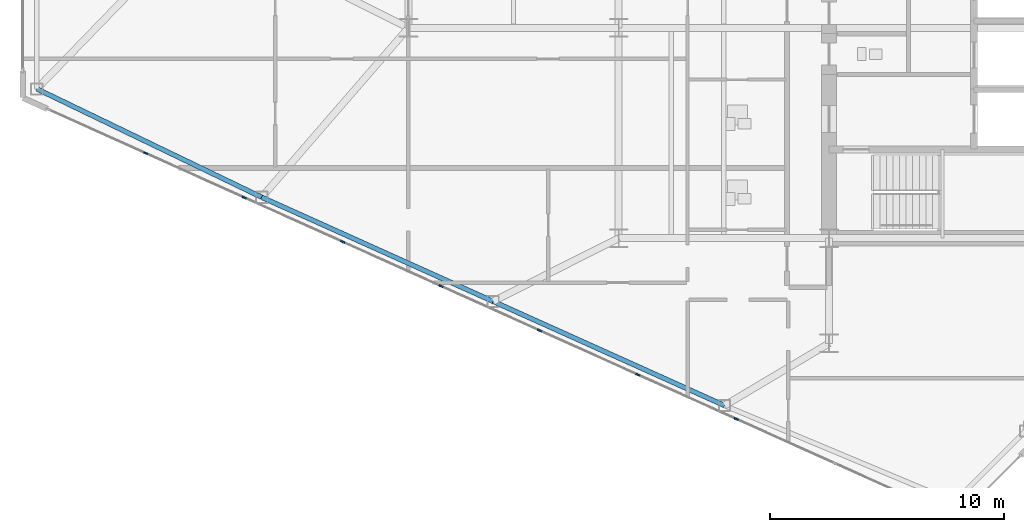
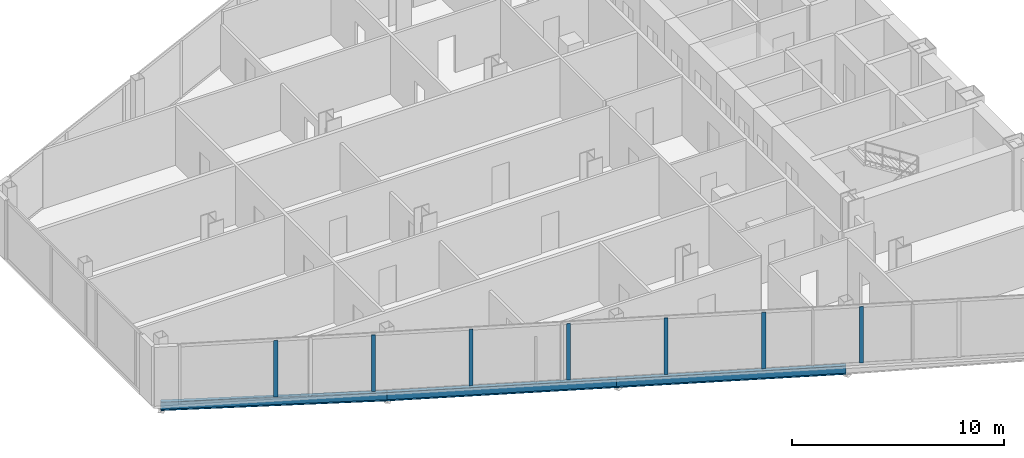
# One storey, part 3 of 27: 7 members, 3 beams, 1 element without a shape of its own.
"""IFC4 building model written with IfcOpenShell, lengths in metres."""

import ifcopenshell
import ifcopenshell.guid

model = None  # the IFC model being written
_history = None  # IfcOwnerHistory: only IFC2X3 demands one
_inside = {}  # id of a spatial element -> (the spatial element, [elements in it])
_under = {}  # id of a project, library or spatial element -> (it, [spatial elements below it])
_declared = {}  # id of a project -> (the project, [libraries it declares])
_typed = {}  # id of a type object -> (the type object, [elements of that type])
_made_of = {}  # id of a material, layer set ... -> (it, [elements and type objects made of it])


def new_model(schema):
    """Start an empty IFC model of exactly this schema.

    Asked for "IFC4X3", IfcOpenShell would pick the latest addendum, in which some entities
    have other attributes; the version numbers below select the first issue.
    IFC2X3 requires an IfcOwnerHistory on every rooted entity: one is made here for all.
    """
    global model, _history
    if schema == "IFC4X3":
        model = ifcopenshell.file(schema_version=(4, 3, 0, 0))
    else:
        model = ifcopenshell.file(schema=schema)
    _inside.clear()
    _under.clear()
    _declared.clear()
    _typed.clear()
    _made_of.clear()
    _history = None
    if model.schema == "IFC2X3":
        org = make("IfcOrganization", Name="unknown")
        user = make(
            "IfcPersonAndOrganization",
            ThePerson=make("IfcPerson", FamilyName="unknown"),
            TheOrganization=org,
        )
        app = make(
            "IfcApplication",
            ApplicationDeveloper=org,
            Version="unknown",
            ApplicationFullName="unknown",
            ApplicationIdentifier="unknown",
        )
        _history = make(
            "IfcOwnerHistory",
            OwningUser=user,
            OwningApplication=app,
            ChangeAction="ADDED",
            CreationDate=0,
        )
    return model


def make(cls, **values):
    """One entity of the class cls with the attributes given. An attribute that is None is left unset."""
    return model.create_entity(
        cls, **{name: value for name, value in values.items() if value is not None}
    )


def rooted(cls, **values):
    """An entity with a GlobalId (a new one), such as an element, a storey or a relation."""
    return make(cls, GlobalId=ifcopenshell.guid.new(), OwnerHistory=_history, **values)


def si_unit(unit_type, name, prefix=None):
    """IfcSIUnit, for example si_unit("LENGTHUNIT", "METRE", prefix="MILLI")."""
    return make("IfcSIUnit", UnitType=unit_type, Prefix=prefix, Name=name)


def assignment(units):
    """IfcUnitAssignment: the units of a project."""
    return None if units is None else make("IfcUnitAssignment", Units=units)


def point(xyz):
    """IfcCartesianPoint."""
    return None if xyz is None else make("IfcCartesianPoint", Coordinates=xyz)


def direction(xyz):
    """IfcDirection."""
    return None if xyz is None else make("IfcDirection", DirectionRatios=xyz)


def frame(location, z_axis=None, x_axis=None):
    """IfcAxis2Placement3D, a coordinate frame: its origin and axes. An axis left out is left unset."""
    return make(
        "IfcAxis2Placement3D",
        Location=point(location),
        Axis=direction(z_axis),
        RefDirection=direction(x_axis),
    )


def frame_2d(location, x_axis=None):
    """IfcAxis2Placement2D, a coordinate frame in the plane: its origin and x axis."""
    return make(
        "IfcAxis2Placement2D", Location=point(location), RefDirection=direction(x_axis)
    )


def origin():
    """The frame at (0, 0, 0) with its axes left unset."""
    return frame((0.0, 0.0, 0.0))


def origin_2d():
    """The frame at (0, 0) in the plane with its x axis left unset."""
    return frame_2d((0.0, 0.0))


def place(relative_to, where):
    """IfcLocalPlacement: puts the frame where relative to a parent placement (None: the world)."""
    return make(
        "IfcLocalPlacement", PlacementRelTo=relative_to, RelativePlacement=where
    )


def context(
    kind, dimensions, precision=None, world=None, true_north=None, identifier=None
):
    """IfcGeometricRepresentationContext, for example the 3D "Model" context."""
    return make(
        "IfcGeometricRepresentationContext",
        ContextIdentifier=identifier,
        ContextType=kind,
        CoordinateSpaceDimension=dimensions,
        Precision=precision,
        WorldCoordinateSystem=world,
        TrueNorth=true_north,
    )


def subcontext(parent, identifier, kind, view, scale=None):
    """IfcGeometricRepresentationSubContext, for example "Body" below "Model"."""
    return make(
        "IfcGeometricRepresentationSubContext",
        ContextIdentifier=identifier,
        ContextType=kind,
        ParentContext=parent,
        TargetScale=scale,
        TargetView=view,
    )


def project(units=None, contexts=None):
    """IfcProject with its units and contexts."""
    return rooted(
        "IfcProject",
        Name="project",
        RepresentationContexts=contexts,
        UnitsInContext=assignment(units),
    )


def spatial(cls, under=None, at=None, **own):
    """A site, building, storey or space (cls), placed at a placement, below another one or the project."""
    s = rooted(cls, ObjectPlacement=at, **own)
    if under is not None:
        _under.setdefault(under.id(), (under, []))[1].append(s)
    return s


def profile(cls, at=None, kind="AREA", **sizes):
    """A parametric profile (cls). Its sizes go by their IFC names, for example OverallWidth=200.0."""
    return make(cls, ProfileType=kind, Position=at, **sizes)


def rectangle(**sizes):
    """IfcRectangleProfileDef."""
    return profile("IfcRectangleProfileDef", **sizes)


def i_section(**sizes):
    """IfcIShapeProfileDef."""
    return profile("IfcIShapeProfileDef", **sizes)


def extrude(swept, where, along, depth):
    """IfcExtrudedAreaSolid: the profile swept, set in the frame where, extruded along a direction by depth."""
    return make(
        "IfcExtrudedAreaSolid",
        SweptArea=swept,
        Position=where,
        ExtrudedDirection=direction(along),
        Depth=depth,
    )


def shape(context_of_items, identifier, shape_type, items):
    """IfcShapeRepresentation: the items that make up one representation, for example the "Body"."""
    return make(
        "IfcShapeRepresentation",
        ContextOfItems=context_of_items,
        RepresentationIdentifier=identifier,
        RepresentationType=shape_type,
        Items=items,
    )


def source(mapping_origin, context_of_items, identifier, shape_type, items):
    """IfcRepresentationMap: a shape defined once, which mapped items show again and again."""
    return make(
        "IfcRepresentationMap",
        MappingOrigin=mapping_origin,
        MappedRepresentation=shape(context_of_items, identifier, shape_type, items),
    )


def transform(
    local_origin,
    x_axis=None,
    y_axis=None,
    z_axis=None,
    scale=None,
    scale2=None,
    scale3=None,
    uniform=True,
):
    """IfcCartesianTransformationOperator3D, or its non-uniform kind. x_axis, y_axis, z_axis: its Axis1, 2, 3."""
    if uniform:
        return make(
            "IfcCartesianTransformationOperator3D",
            Axis1=direction(x_axis),
            Axis2=direction(y_axis),
            LocalOrigin=point(local_origin),
            Scale=scale,
            Axis3=direction(z_axis),
        )
    return make(
        "IfcCartesianTransformationOperator3DnonUniform",
        Axis1=direction(x_axis),
        Axis2=direction(y_axis),
        LocalOrigin=point(local_origin),
        Scale=scale,
        Axis3=direction(z_axis),
        Scale2=scale2,
        Scale3=scale3,
    )


def mapped(mapping_source, mapping_target):
    """IfcMappedItem: shows the shape of a source again, moved by a transform."""
    return make(
        "IfcMappedItem", MappingSource=mapping_source, MappingTarget=mapping_target
    )


def material(Name=None, Category=None):
    """IfcMaterial."""
    return make("IfcMaterial", Name=Name, Category=Category)


def layer(
    of_material, thickness, ventilated=None, Name=None, Category=None, Priority=None
):
    """IfcMaterialLayer: one layer of a wall or slab, of a material (None: an air gap)."""
    return make(
        "IfcMaterialLayer",
        Material=of_material,
        LayerThickness=thickness,
        IsVentilated=ventilated,
        Name=Name,
        Category=Category,
        Priority=Priority,
    )


def layer_set(layers, Name=None):
    """IfcMaterialLayerSet."""
    return make("IfcMaterialLayerSet", MaterialLayers=layers, LayerSetName=Name)


def material_profile(
    of_material, cross_section, Name=None, Category=None, Priority=None
):
    """IfcMaterialProfile: a cross section and its material."""
    return make(
        "IfcMaterialProfile",
        Name=Name,
        Material=of_material,
        Profile=cross_section,
        Priority=Priority,
        Category=Category,
    )


def profile_set(profiles, Name=None, composite=None):
    """IfcMaterialProfileSet."""
    return make(
        "IfcMaterialProfileSet",
        Name=Name,
        MaterialProfiles=profiles,
        CompositeProfile=composite,
    )


def made_of(thing, what):
    """Note that an element or type object is made of a material, layer set ...; save() writes the relation."""
    if what is not None:
        _made_of.setdefault(what.id(), (what, []))[1].append(thing)
    return thing


def type_object(cls, material=None, **own):
    """A type object (cls), such as IfcWallType, which elements share."""
    return made_of(rooted(cls, **own), material)


def type_shapes(of_type, sources):
    """Give a type object the sources (RepresentationMaps) that its elements show as mapped items."""
    of_type.RepresentationMaps = sources


def element(
    cls,
    number,
    at=None,
    inside=None,
    cuts=None,
    type_object=None,
    material=None,
    context=None,
    identifier="Body",
    shape_type=None,
    held_by="IfcProductDefinitionShape",
    body=None,
    shapes=None,
    **own,
):
    """One element of the class cls, such as IfcWall. Its Tag is "e" and its number.

    at: its placement. inside: the storey or other place that contains it. cuts: it is an
    opening in that element (IfcRelVoidsElement). A single representation is given by context,
    identifier, shape_type and body (its items); several are given by shapes. held_by: the class
    of the entity that holds the representations. save() writes the other relations.
    """
    e = rooted(cls, Tag="e%d" % number, ObjectPlacement=at, **own)
    if body is not None:
        shapes = [shape(context, identifier, shape_type, body)]
    if shapes is not None:
        e.Representation = make(held_by, Representations=shapes)
    if inside is not None:
        _inside.setdefault(inside.id(), (inside, []))[1].append(e)
    if cuts is not None:
        rooted(
            "IfcRelVoidsElement", RelatingBuildingElement=cuts, RelatedOpeningElement=e
        )
    if type_object is not None:
        _typed.setdefault(type_object.id(), (type_object, []))[1].append(e)
    return made_of(e, material)


def aggregate(whole, parts):
    """IfcRelAggregates: a whole, such as a stair, and the parts it consists of."""
    return rooted("IfcRelAggregates", RelatingObject=whole, RelatedObjects=parts)


def save(model, path):
    """Write the relations noted so far, then the file.

    IfcRelAggregates (storeys below a building ...), IfcRelContainedInSpatialStructure (elements
    in a storey), IfcRelDefinesByType, IfcRelAssociatesMaterial and IfcRelDeclares: one each for
    every whole, place, type object, material and project.
    """
    for whole, parts in _under.values():
        aggregate(whole, parts)
    for where, things in _inside.values():
        rooted(
            "IfcRelContainedInSpatialStructure",
            RelatedElements=things,
            RelatingStructure=where,
        )
    for kind, things in _typed.values():
        rooted("IfcRelDefinesByType", RelatedObjects=things, RelatingType=kind)
    for what, things in _made_of.values():
        rooted("IfcRelAssociatesMaterial", RelatedObjects=things, RelatingMaterial=what)
    for by, libraries in _declared.values():
        rooted("IfcRelDeclares", RelatingContext=by, RelatedDefinitions=libraries)
    model.write(path)


model = new_model("IFC4")

# Units and contexts
model_context = context("Model", 3, precision=1e-05, world=origin(), true_north=direction((0.0, 1.0)))
body_context = subcontext(model_context, "Body", "Model", "MODEL_VIEW")
ifc_project = project(units=[si_unit("LENGTHUNIT", "METRE"), si_unit("AREAUNIT", "SQUARE_METRE"), si_unit("VOLUMEUNIT", "CUBIC_METRE"), si_unit("PLANEANGLEUNIT", "RADIAN"), si_unit("MASSUNIT", "GRAM", prefix="KILO")], contexts=[model_context])

# Site, building, storey
site_placement = place(None, origin())
site = spatial("IfcSite", under=ifc_project, at=site_placement, CompositionType="ELEMENT")
building_placement = place(site_placement, origin())
building = spatial("IfcBuilding", under=site, at=building_placement, Name="Seokmaru Belvedere", CompositionType="ELEMENT")
storey_placement = place(building_placement, frame((0.0, 0.0, 103.199951171875)))
storey = spatial("IfcBuildingStorey", under=building, at=storey_placement, Name="L27", CompositionType="ELEMENT", Elevation=103.199951171875)

# Beams
ifc_material_1 = material(Name="Steel SM355 (355 MPa)", Category="steel")
ifc_material_profile_1 = material_profile(ifc_material_1, i_section(OverallWidth=0.199951171875, OverallDepth=0.5, WebThickness=0.010009765625, FlangeThickness=0.01611328125, at=origin_2d()), Name="H-500x200x10x16")
ifc_profile_set_1 = profile_set([ifc_material_profile_1], Name="Steel SM355 (355 MPa)")
beam_type = type_object("IfcBeamType", Name="Perimeter Spandrel Beam H-500", PredefinedType="SPANDREL", material=ifc_profile_set_1)
shared_shape_1 = source(origin(), body_context, "Body", "SweptSolid", [
    extrude(i_section(OverallWidth=0.199951171875, OverallDepth=0.5, WebThickness=0.010009765625, FlangeThickness=0.01611328125, at=origin_2d()), origin(), (0.0, 0.0, 1.0), 10.85888671875),
])
for number, where, z_axis, x_axis, name in (
    (1, (-40.97265625, -20.661376953125, -0.469970703125), (-0.911921505175, 0.410364677329, 0.0), (-0.410364677329, -0.911921505175, 0.0), "L27 W Faceted Flank Spandrel S-2"),
    (2, (-50.875, -16.205322265625, -0.469970703125), (-0.911925291223, 0.410356263785, 0.0), (-0.410356263785, -0.911925291223, 0.0), "L27 W Faceted Flank Spandrel S-3"),
):
    element("IfcBeam", number, at=place(storey_placement, frame(where, z_axis=z_axis, x_axis=x_axis)), inside=storey, type_object=beam_type, Name=name, PredefinedType="SPANDREL", context=body_context, shape_type="MappedRepresentation", body=[
        mapped(shared_shape_1, transform((0.0, 0.0, 0.0), scale=1.0)),
    ])
shared_shape_2 = source(origin(), body_context, "Body", "SweptSolid", [
    extrude(i_section(OverallWidth=0.199951171875, OverallDepth=0.5, WebThickness=0.010009765625, FlangeThickness=0.01611328125, at=origin_2d()), origin(), (0.0, 0.0, 1.0), 10.681396484375),
])
type_shapes(beam_type, [shared_shape_1, shared_shape_2])
beam_placement = place(storey_placement, frame((-60.777587890625, -11.749267578125, -0.469970703125), z_axis=(-0.900846426616, 0.434137899352, 0.0), x_axis=(-0.434137899352, -0.900846426616, 0.0)))
element("IfcBeam", 3, at=beam_placement, inside=storey, type_object=beam_type, Name="L27 W Faceted Flank Spandrel S-4", PredefinedType="SPANDREL", context=body_context, shape_type="MappedRepresentation", body=[
    mapped(shared_shape_2, transform((0.0, 0.0, 0.0), scale=1.0)),
])

# Curtain wall, members
ifc_material_2 = material(Name="Bronze Triple Insulating Glass", Category="glass")
ifc_layer = layer(ifc_material_2, 0.195068359375)
ifc_layer_set = layer_set([ifc_layer], Name="Bronze Triple Insulating Glass")
curtain_wall_type = type_object("IfcCurtainWallType", Name="Lower-Mid Tapered Curtain Wall System CW-3", PredefinedType="NOTDEFINED", material=ifc_layer_set)
curtain_wall_placement = place(storey_placement, origin())
curtain_wall = element("IfcCurtainWall", 4, at=curtain_wall_placement, inside=storey, type_object=curtain_wall_type, Name="L27 Curtain Wall WF5", PredefinedType="NOTDEFINED")
ifc_material_3 = material(Name="Anodised Bronze Aluminium", Category="aluminium")
ifc_material_profile_2 = material_profile(ifc_material_3, rectangle(XDim=0.070068359375, YDim=0.195068359375, at=origin_2d()), Name="CW-M-70x195")
ifc_profile_set_2 = profile_set([ifc_material_profile_2], Name="Anodised Bronze Aluminium")
member_type = type_object("IfcMemberType", Name="Bronze Unitised Mullion 70x195", PredefinedType="MULLION", material=ifc_profile_set_2)
shared_shape_3 = source(origin(), body_context, "Body", "SweptSolid", [
    extrude(rectangle(XDim=0.070068359375, YDim=0.195068359375, at=origin_2d()), origin(), (0.0, 0.0, 1.0), 3.239990234375),
])
type_shapes(member_type, [shared_shape_3])
member_1_placement = place(storey_placement, frame((-65.739990234375, -9.866943359375, 0.070068359375), z_axis=(0.0, 0.0, 1.0), x_axis=(0.41036554765, 0.91192111353, 0.0)))
member_1 = element("IfcMember", 5, at=member_1_placement, type_object=member_type, Name="CW:L27:WF5 Mullion 2", PredefinedType="MULLION", context=body_context, shape_type="MappedRepresentation", body=[
    mapped(shared_shape_3, transform((0.0, 0.0, 0.0), scale=1.0)),
])
member_2_placement = place(storey_placement, frame((-61.528564453125, -11.76220703125, 0.070068359375), z_axis=(0.0, 0.0, 1.0), x_axis=(0.41036554765, 0.91192111353, 0.0)))
member_2 = element("IfcMember", 6, at=member_2_placement, type_object=member_type, Name="CW:L27:WF5 Mullion 3", PredefinedType="MULLION", context=body_context, shape_type="MappedRepresentation", body=[
    mapped(shared_shape_3, transform((0.0, 0.0, 0.0), scale=1.0)),
])
member_3_placement = place(storey_placement, frame((-57.317138671875, -13.6572265625, 0.070068359375), z_axis=(0.0, 0.0, 1.0), x_axis=(0.41036554765, 0.91192111353, 0.0)))
member_3 = element("IfcMember", 7, at=member_3_placement, type_object=member_type, Name="CW:L27:WF5 Mullion 4", PredefinedType="MULLION", context=body_context, shape_type="MappedRepresentation", body=[
    mapped(shared_shape_3, transform((0.0, 0.0, 0.0), scale=1.0)),
])
member_4_placement = place(storey_placement, frame((-53.105712890625, -15.552490234375, 0.070068359375), z_axis=(0.0, 0.0, 1.0), x_axis=(0.41036554765, 0.91192111353, 0.0)))
member_4 = element("IfcMember", 8, at=member_4_placement, type_object=member_type, Name="CW:L27:WF5 Mullion 5", PredefinedType="MULLION", context=body_context, shape_type="MappedRepresentation", body=[
    mapped(shared_shape_3, transform((0.0, 0.0, 0.0), scale=1.0)),
])
member_5_placement = place(storey_placement, frame((-48.894287109375, -17.447509765625, 0.070068359375), z_axis=(0.0, 0.0, 1.0), x_axis=(0.41036554765, 0.91192111353, 0.0)))
member_5 = element("IfcMember", 9, at=member_5_placement, type_object=member_type, Name="CW:L27:WF5 Mullion 6", PredefinedType="MULLION", context=body_context, shape_type="MappedRepresentation", body=[
    mapped(shared_shape_3, transform((0.0, 0.0, 0.0), scale=1.0)),
])
member_6_placement = place(storey_placement, frame((-44.682861328125, -19.3427734375, 0.070068359375), z_axis=(0.0, 0.0, 1.0), x_axis=(0.41036554765, 0.91192111353, 0.0)))
member_6 = element("IfcMember", 10, at=member_6_placement, type_object=member_type, Name="CW:L27:WF5 Mullion 7", PredefinedType="MULLION", context=body_context, shape_type="MappedRepresentation", body=[
    mapped(shared_shape_3, transform((0.0, 0.0, 0.0), scale=1.0)),
])
member_7_placement = place(storey_placement, frame((-40.471435546875, -21.23779296875, 0.070068359375), z_axis=(0.0, 0.0, 1.0), x_axis=(0.41036554765, 0.91192111353, 0.0)))
member_7 = element("IfcMember", 11, at=member_7_placement, type_object=member_type, Name="CW:L27:WF5 Mullion 8", PredefinedType="MULLION", context=body_context, shape_type="MappedRepresentation", body=[
    mapped(shared_shape_3, transform((0.0, 0.0, 0.0), scale=1.0)),
])
aggregate(curtain_wall, [member_1, member_2, member_3, member_4, member_5, member_6, member_7])

save(model, "model.ifc")
